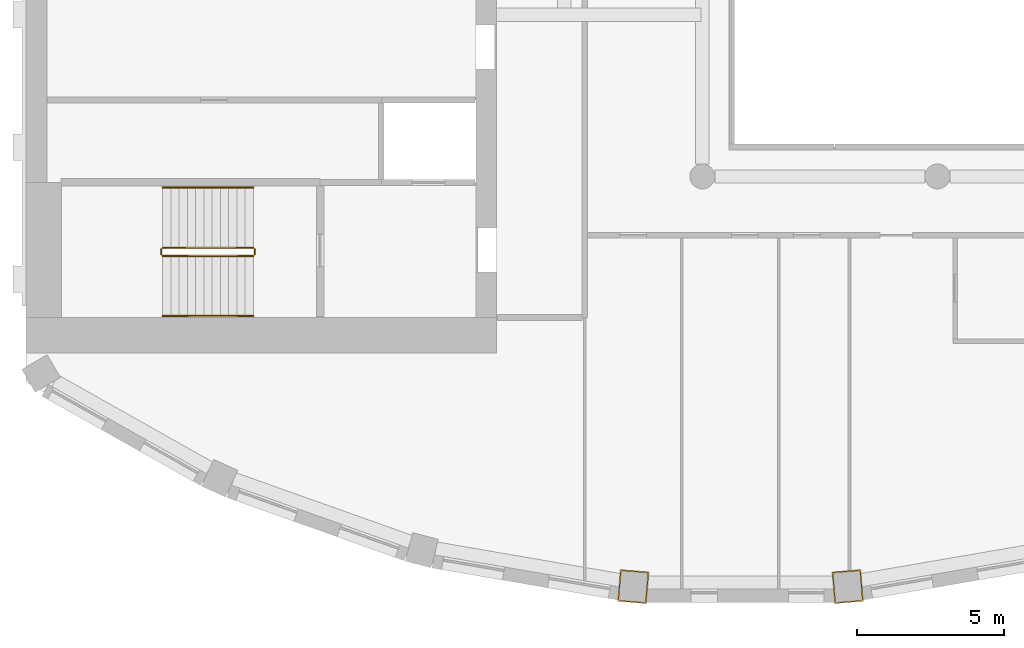
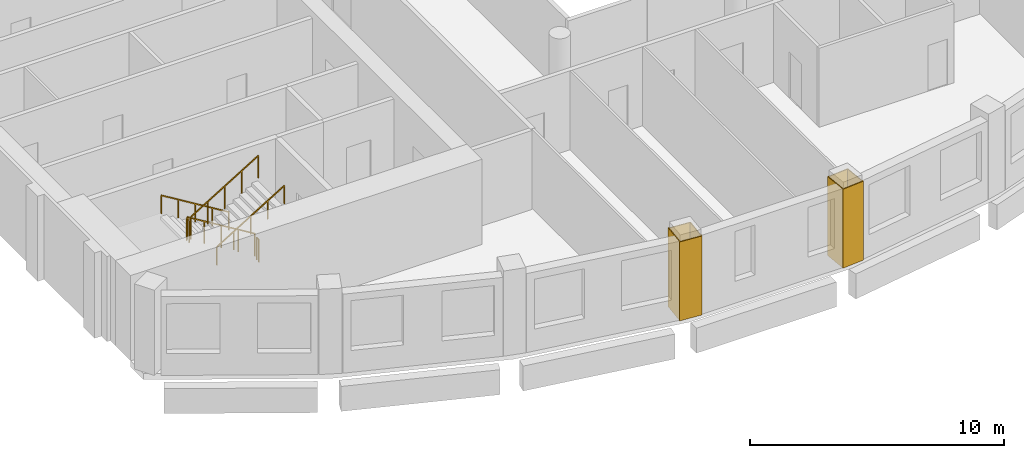
# One storey, part 10 of 14: 6 railings, 2 coverings.
"""IFC4 building model written with IfcOpenShell, lengths in metres."""

from ifc_helpers import new_model, si_unit, direction, frame, origin, origin_2d, place, context, subcontext, project, spatial, polyline, rectangle, outline, extrude, material, layer, layer_set, type_object, element, save


model = new_model("IFC4")

# Units and contexts
model_context = context("Model", 3, precision=1e-05, world=origin(), true_north=direction((0.0, 1.0)))
body_context = subcontext(model_context, "Body", "Model", "MODEL_VIEW")
ifc_project = project(units=[si_unit("LENGTHUNIT", "METRE"), si_unit("AREAUNIT", "SQUARE_METRE"), si_unit("VOLUMEUNIT", "CUBIC_METRE"), si_unit("PLANEANGLEUNIT", "RADIAN"), si_unit("MASSUNIT", "GRAM", prefix="KILO")], contexts=[model_context])

# Site, building, storey
site_placement = place(None, origin())
site = spatial("IfcSite", under=ifc_project, at=site_placement, CompositionType="ELEMENT")
building_placement = place(site_placement, origin())
building = spatial("IfcBuilding", under=site, at=building_placement, Name="Cypress Arch Tower", CompositionType="ELEMENT")
storey_placement = place(building_placement, frame((0.0, 0.0, 284.39990234375)))
storey = spatial("IfcBuildingStorey", under=building, at=storey_placement, Name="L64", CompositionType="ELEMENT", Elevation=284.39990234375)

# Coverings
ifc_material_1 = material(Name="Painted plasterboard column casing")
ifc_layer = layer(ifc_material_1, 0.0400390625)
ifc_layer_set = layer_set([ifc_layer], Name="Column casing CK40")
covering_type = type_object("IfcCoveringType", Name="Column casing CK40", PredefinedType="CLADDING", material=ifc_layer_set)
covering_1_placement = place(storey_placement, origin())
element("IfcCovering", 1, at=covering_1_placement, inside=storey, type_object=covering_type, Name="Column casing L64 CC14", PredefinedType="CLADDING", context=body_context, shape_type="SweptSolid", body=[
    extrude(outline(polyline([(-9.881103515625, -24.44970703125), (-9.789306640625, -23.373779296875), (-8.812744140625, -23.457275390625), (-8.90478515625, -24.533203125), (-9.881103515625, -24.44970703125)]), holes=[polyline([(-9.837890625, -24.413330078125), (-8.941162109375, -24.489990234375), (-8.85595703125, -23.49365234375), (-9.752685546875, -23.4169921875), (-9.837890625, -24.413330078125)])]), origin(), (0.0, 0.0, 1.0), 3.800048828125),
])
covering_2_placement = place(storey_placement, origin())
element("IfcCovering", 2, at=covering_2_placement, inside=storey, type_object=covering_type, Name="Column casing L64 CC15", PredefinedType="CLADDING", context=body_context, shape_type="SweptSolid", body=[
    extrude(outline(polyline([(-2.495361328125, -24.533203125), (-2.587158203125, -23.457275390625), (-1.61083984375, -23.373779296875), (-1.518798828125, -24.44970703125), (-2.495361328125, -24.533203125)]), holes=[polyline([(-2.458740234375, -24.489990234375), (-1.56201171875, -24.413330078125), (-1.647216796875, -23.4169921875), (-2.5439453125, -23.49365234375), (-2.458740234375, -24.489990234375)])]), origin(), (0.0, 0.0, 1.0), 3.800048828125),
])

# Railings
ifc_material_2 = material(Name="Black powder-coated steel square bar 48 mm", Category="steel")
railing_type_1 = type_object("IfcRailingType", Name="Stair handrail HR1", PredefinedType="HANDRAIL", material=ifc_material_2)
railing_1_placement = place(storey_placement, frame((-22.27490234375, -10.375, 0.1708984375)))
element("IfcRailing", 3, at=railing_1_placement, inside=storey, type_object=railing_type_1, Name="L64 A stair handrail 1", PredefinedType="HANDRAIL", context=body_context, shape_type="SweptSolid", body=[
    extrude(rectangle(XDim=0.048095703125, YDim=0.048095703125, at=origin_2d()), frame((0.0, 0.0, 0.8759765625), z_axis=(-0.853666305674, 0.0, 0.52082035152), x_axis=(0.0, -1.0, 0.0)), (0.0, 0.0, 1.0), 3.608154296875),
    extrude(rectangle(XDim=0.0419921875, YDim=0.0419921875, at=origin_2d()), origin(), (0.0, 0.0, 1.0), 0.851806640625),
    extrude(rectangle(XDim=0.0419921875, YDim=0.0419921875, at=origin_2d()), frame((-0.77001953125, 0.0, 0.4697265625)), (0.0, 0.0, 1.0), 0.851806640625),
    extrude(rectangle(XDim=0.0419921875, YDim=0.0419921875, at=origin_2d()), frame((-1.5400390625, 0.0, 0.939453125)), (0.0, 0.0, 1.0), 0.851806640625),
    extrude(rectangle(XDim=0.0419921875, YDim=0.0419921875, at=origin_2d()), frame((-2.31005859375, 0.0, 1.409423828125)), (0.0, 0.0, 1.0), 0.851806640625),
    extrude(rectangle(XDim=0.0419921875, YDim=0.0419921875, at=origin_2d()), frame((-3.080078125, 0.0, 1.879150390625)), (0.0, 0.0, 1.0), 0.851806640625),
])
railing_2_placement = place(storey_placement, frame((-25.35498046875, -14.75, 2.220947265625)))
element("IfcRailing", 4, at=railing_2_placement, inside=storey, type_object=railing_type_1, Name="L64 A stair handrail 2", PredefinedType="HANDRAIL", context=body_context, shape_type="SweptSolid", body=[
    extrude(rectangle(XDim=0.048095703125, YDim=0.048095703125, at=origin_2d()), frame((0.0, 0.0, 0.8759765625), z_axis=(0.853666305674, 0.0, 0.52082035152), x_axis=(0.0, 1.0, 0.0)), (0.0, 0.0, 1.0), 3.608154296875),
    extrude(rectangle(XDim=0.0419921875, YDim=0.0419921875, at=origin_2d()), origin(), (0.0, 0.0, 1.0), 0.851806640625),
    extrude(rectangle(XDim=0.0419921875, YDim=0.0419921875, at=origin_2d()), frame((0.77001953125, 0.0, 0.4697265625)), (0.0, 0.0, 1.0), 0.851806640625),
    extrude(rectangle(XDim=0.0419921875, YDim=0.0419921875, at=origin_2d()), frame((1.5400390625, 0.0, 0.939453125)), (0.0, 0.0, 1.0), 0.851806640625),
    extrude(rectangle(XDim=0.0419921875, YDim=0.0419921875, at=origin_2d()), frame((2.31005859375, 0.0, 1.409423828125)), (0.0, 0.0, 1.0), 0.851806640625),
    extrude(rectangle(XDim=0.0419921875, YDim=0.0419921875, at=origin_2d()), frame((3.080078125, 0.0, 1.879150390625)), (0.0, 0.0, 1.0), 0.851806640625),
])
ifc_material_3 = material(Name="Black powder-coated steel balusters", Category="steel")
railing_type_2 = type_object("IfcRailingType", Name="Stair well guard G1", PredefinedType="GUARDRAIL", material=ifc_material_3)
railing_3_placement = place(storey_placement, frame((-22.27490234375, -12.425048828125, 0.1708984375)))
element("IfcRailing", 5, at=railing_3_placement, inside=storey, type_object=railing_type_2, Name="L64 A stair guard 1", PredefinedType="GUARDRAIL", context=body_context, shape_type="SweptSolid", body=[
    extrude(rectangle(XDim=0.048095703125, YDim=0.048095703125, at=origin_2d()), frame((0.0, 0.0, 1.076171875), z_axis=(-0.853666305674, 0.0, 0.52082035152), x_axis=(0.0, -1.0, 0.0)), (0.0, 0.0, 1.0), 3.608154296875),
    extrude(rectangle(XDim=0.0419921875, YDim=0.0419921875, at=origin_2d()), origin(), (0.0, 0.0, 1.0), 1.052001953125),
    extrude(rectangle(XDim=0.0419921875, YDim=0.0419921875, at=origin_2d()), frame((-0.77001953125, 0.0, 0.4697265625)), (0.0, 0.0, 1.0), 1.052001953125),
    extrude(rectangle(XDim=0.0419921875, YDim=0.0419921875, at=origin_2d()), frame((-1.5400390625, 0.0, 0.939453125)), (0.0, 0.0, 1.0), 1.052001953125),
    extrude(rectangle(XDim=0.0419921875, YDim=0.0419921875, at=origin_2d()), frame((-2.31005859375, 0.0, 1.409423828125)), (0.0, 0.0, 1.0), 1.052001953125),
    extrude(rectangle(XDim=0.0419921875, YDim=0.0419921875, at=origin_2d()), frame((-3.080078125, 0.0, 1.879150390625)), (0.0, 0.0, 1.0), 1.052001953125),
])
railing_4_placement = place(storey_placement, frame((-25.405029296875, -12.47509765625, 2.050048828125)))
element("IfcRailing", 6, at=railing_4_placement, inside=storey, type_object=railing_type_2, Name="L64 A stair guard 2", PredefinedType="GUARDRAIL", context=body_context, shape_type="SweptSolid", body=[
    extrude(rectangle(XDim=0.048095703125, YDim=0.048095703125, at=origin_2d()), frame((0.0, 0.0, 1.076171875), z_axis=(0.0, -1.0, 0.0), x_axis=(1.0, 0.0, 0.0)), (0.0, 0.0, 1.0), 0.1748046875),
    extrude(rectangle(XDim=0.0419921875, YDim=0.0419921875, at=origin_2d()), origin(), (0.0, 0.0, 1.0), 1.052001953125),
    extrude(rectangle(XDim=0.0419921875, YDim=0.0419921875, at=origin_2d()), frame((0.0, -0.1748046875, 0.0)), (0.0, 0.0, 1.0), 1.052001953125),
])
railing_5_placement = place(storey_placement, frame((-25.35498046875, -12.699951171875, 2.220947265625)))
element("IfcRailing", 7, at=railing_5_placement, inside=storey, type_object=railing_type_2, Name="L64 A stair guard 3", PredefinedType="GUARDRAIL", context=body_context, shape_type="SweptSolid", body=[
    extrude(rectangle(XDim=0.048095703125, YDim=0.048095703125, at=origin_2d()), frame((0.0, 0.0, 1.076171875), z_axis=(0.853666305674, 0.0, 0.52082035152), x_axis=(0.0, 1.0, 0.0)), (0.0, 0.0, 1.0), 3.608154296875),
    extrude(rectangle(XDim=0.0419921875, YDim=0.0419921875, at=origin_2d()), origin(), (0.0, 0.0, 1.0), 1.052001953125),
    extrude(rectangle(XDim=0.0419921875, YDim=0.0419921875, at=origin_2d()), frame((0.77001953125, 0.0, 0.4697265625)), (0.0, 0.0, 1.0), 1.052001953125),
    extrude(rectangle(XDim=0.0419921875, YDim=0.0419921875, at=origin_2d()), frame((1.5400390625, 0.0, 0.939453125)), (0.0, 0.0, 1.0), 1.052001953125),
    extrude(rectangle(XDim=0.0419921875, YDim=0.0419921875, at=origin_2d()), frame((2.31005859375, 0.0, 1.409423828125)), (0.0, 0.0, 1.0), 1.052001953125),
    extrude(rectangle(XDim=0.0419921875, YDim=0.0419921875, at=origin_2d()), frame((3.080078125, 0.0, 1.879150390625)), (0.0, 0.0, 1.0), 1.052001953125),
])
railing_6_placement = place(storey_placement, frame((-22.22509765625, -12.47509765625, 0.0)))
element("IfcRailing", 8, at=railing_6_placement, inside=storey, type_object=railing_type_2, Name="L64 A stair guard 4", PredefinedType="GUARDRAIL", context=body_context, shape_type="SweptSolid", body=[
    extrude(rectangle(XDim=0.048095703125, YDim=0.048095703125, at=origin_2d()), frame((0.0, 0.0, 1.076171875), z_axis=(0.0, -1.0, 0.0), x_axis=(1.0, 0.0, 0.0)), (0.0, 0.0, 1.0), 0.1748046875),
    extrude(rectangle(XDim=0.0419921875, YDim=0.0419921875, at=origin_2d()), origin(), (0.0, 0.0, 1.0), 1.052001953125),
    extrude(rectangle(XDim=0.0419921875, YDim=0.0419921875, at=origin_2d()), frame((0.0, -0.1748046875, 0.0)), (0.0, 0.0, 1.0), 1.052001953125),
])

save(model, "model.ifc")
